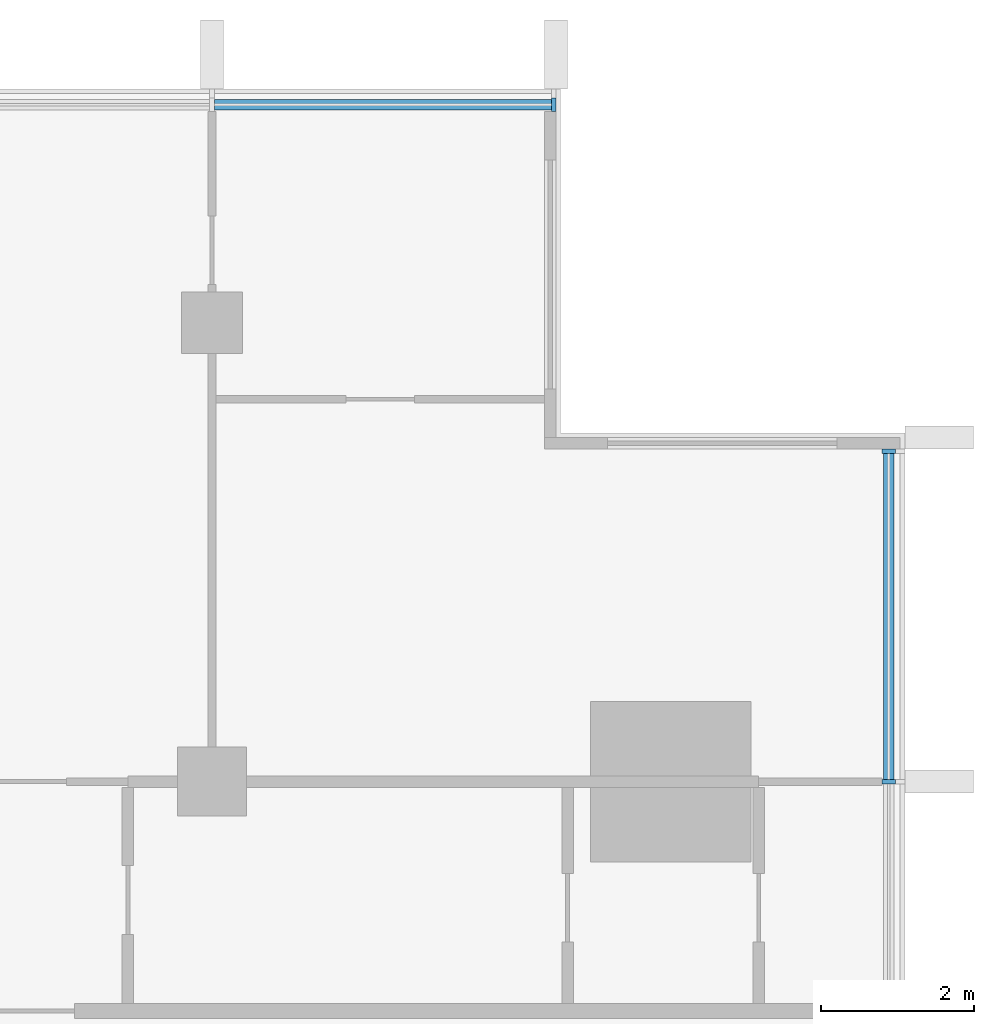
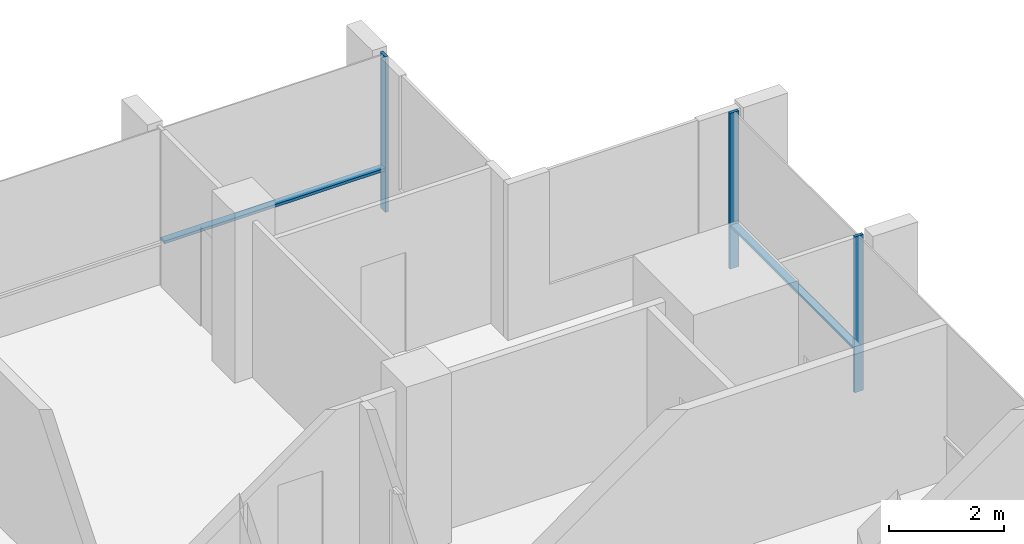
# One storey, part 5 of 16: 5 members, 2 elements without a shape of their own.
"""IFC4 building model written with IfcOpenShell, lengths in metres."""

from ifc_helpers import new_model, si_unit, direction, frame, origin, origin_2d, place, context, subcontext, project, spatial, rectangle, extrude, material, material_profile, profile_set, type_object, element, aggregate, save


model = new_model("IFC4")

# Units and contexts
model_context = context("Model", 3, precision=1e-05, world=origin(), true_north=direction((0.0, 1.0)))
body_context = subcontext(model_context, "Body", "Model", "MODEL_VIEW")
ifc_project = project(units=[si_unit("LENGTHUNIT", "METRE"), si_unit("AREAUNIT", "SQUARE_METRE"), si_unit("VOLUMEUNIT", "CUBIC_METRE"), si_unit("PLANEANGLEUNIT", "RADIAN"), si_unit("MASSUNIT", "GRAM", prefix="KILO")], contexts=[model_context])

# Site, building, storey
site_placement = place(None, origin())
site = spatial("IfcSite", under=ifc_project, at=site_placement, CompositionType="ELEMENT")
building_placement = place(site_placement, origin())
building = spatial("IfcBuilding", under=site, at=building_placement, Name="Finial Court Residences", CompositionType="ELEMENT")
storey_placement = place(building_placement, frame((0.0, 0.0, 223.10009765625)))
storey = spatial("IfcBuildingStorey", under=building, at=storey_placement, Name="L56", CompositionType="ELEMENT", Elevation=223.10009765625)

# Curtain wall, member
ifc_material = material(Name="Bronze anodised aluminium", Category="aluminium")
curtain_wall_type = type_object("IfcCurtainWallType", Name="Unitised curtain wall, upper zones", PredefinedType="NOTDEFINED", material=ifc_material)
curtain_wall_1_placement = place(storey_placement, origin())
curtain_wall_1 = element("IfcCurtainWall", 1, at=curtain_wall_1_placement, inside=storey, type_object=curtain_wall_type, Name="E-L56-CW-N3", PredefinedType="NOTDEFINED")
ifc_material_profile_1 = material_profile(ifc_material, rectangle(XDim=0.175048828125, YDim=0.06005859375, at=origin_2d()), Name="CW2 mullion 60 x 175")
ifc_profile_set_1 = profile_set([ifc_material_profile_1], Name="Bronze anodised aluminium")
member_type_1 = type_object("IfcMemberType", Name="CW2 mullion 60 x 175", PredefinedType="MULLION", material=ifc_profile_set_1)
member_1_placement = place(storey_placement, frame((14.969970703125, 16.35009765625, 0.0), z_axis=(0.0, 0.0, 1.0), x_axis=(0.0, 1.0, 0.0)))
member_1 = element("IfcMember", 2, at=member_1_placement, type_object=member_type_1, Name="CW2 mullion 3", PredefinedType="MULLION", context=body_context, shape_type="SweptSolid", body=[
    extrude(rectangle(XDim=0.175048828125, YDim=0.06005859375, at=origin_2d()), origin(), (0.0, 0.0, 1.0), 3.2998046875),
])

# Curtain wall, members
curtain_wall_2_placement = place(storey_placement, origin())
curtain_wall_2 = element("IfcCurtainWall", 3, at=curtain_wall_2_placement, inside=storey, type_object=curtain_wall_type, Name="E-L56-CW-E6", PredefinedType="NOTDEFINED")
member_2_placement = place(storey_placement, frame((19.35009765625, 7.5, 0.0), z_axis=(0.0, 0.0, 1.0), x_axis=(-1.0, 0.0, 0.0)))
member_2 = element("IfcMember", 4, at=member_2_placement, type_object=member_type_1, Name="CW2 mullion 2", PredefinedType="MULLION", context=body_context, shape_type="SweptSolid", body=[
    extrude(rectangle(XDim=0.175048828125, YDim=0.06005859375, at=origin_2d()), origin(), (0.0, 0.0, 1.0), 3.2998046875),
])
member_3_placement = place(storey_placement, frame((19.35009765625, 11.820068359375, 0.0), z_axis=(0.0, 0.0, 1.0), x_axis=(-1.0, 0.0, 0.0)))
member_3 = element("IfcMember", 5, at=member_3_placement, type_object=member_type_1, Name="CW2 mullion 3", PredefinedType="MULLION", context=body_context, shape_type="SweptSolid", body=[
    extrude(rectangle(XDim=0.175048828125, YDim=0.06005859375, at=origin_2d()), origin(), (0.0, 0.0, 1.0), 3.2998046875),
])

# Member
ifc_material_profile_2 = material_profile(ifc_material, rectangle(XDim=0.139892578125, YDim=0.06005859375, at=origin_2d()), Name="CW2 transom 60 x 140")
ifc_profile_set_2 = profile_set([ifc_material_profile_2], Name="Bronze anodised aluminium")
member_type_2 = type_object("IfcMemberType", Name="CW2 transom 60 x 140", PredefinedType="USERDEFINED", material=ifc_profile_set_2)
member_4_placement = place(storey_placement, frame((10.530029296875, 16.35009765625, 0.89990234375), z_axis=(1.0, 0.0, 0.0), x_axis=(0.0, 1.0, 0.0)))
member_4 = element("IfcMember", 6, at=member_4_placement, type_object=member_type_2, Name="CW2 transom 2.1", ObjectType="TRANSOM", PredefinedType="USERDEFINED", context=body_context, shape_type="SweptSolid", body=[
    extrude(rectangle(XDim=0.139892578125, YDim=0.06005859375, at=origin_2d()), origin(), (0.0, 0.0, 1.0), 4.409912109375),
])

aggregate(curtain_wall_1, [member_1, member_4])

member_5_placement = place(storey_placement, frame((19.35009765625, 7.530029296875, 0.89990234375), z_axis=(0.0, 1.0, 0.0), x_axis=(-1.0, 0.0, 0.0)))
member_5 = element("IfcMember", 7, at=member_5_placement, type_object=member_type_2, Name="CW2 transom 2.1", ObjectType="TRANSOM", PredefinedType="USERDEFINED", context=body_context, shape_type="SweptSolid", body=[
    extrude(rectangle(XDim=0.139892578125, YDim=0.06005859375, at=origin_2d()), origin(), (0.0, 0.0, 1.0), 4.260009765625),
])

aggregate(curtain_wall_2, [member_2, member_3, member_5])

save(model, "model.ifc")
